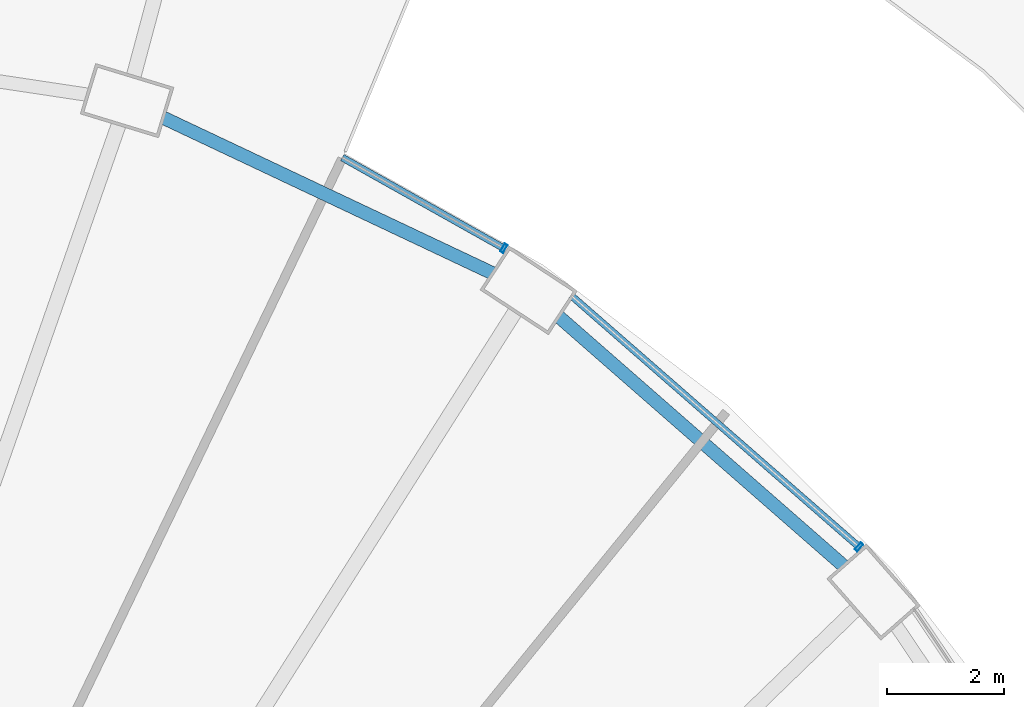
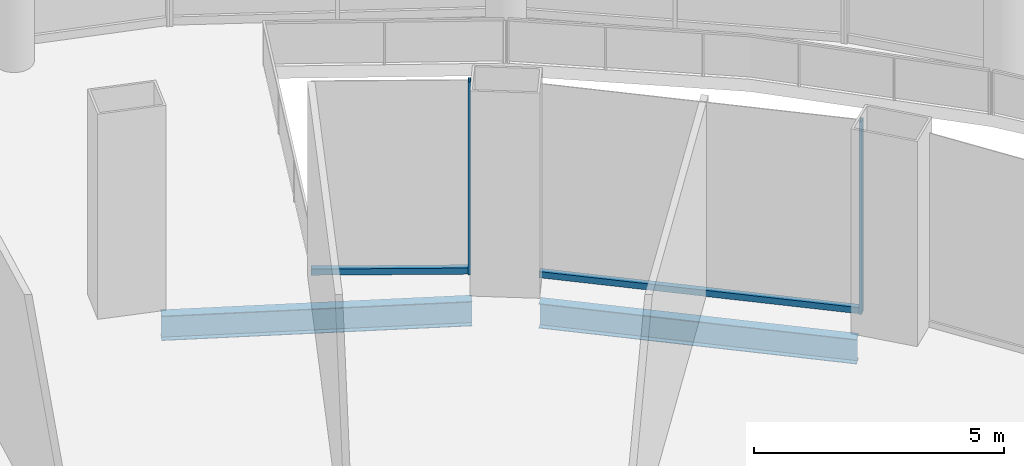
# One storey, part 35 of 48: 4 members, 2 beams, 2 elements without a shape of their own.
"""IFC4 building model written with IfcOpenShell, lengths in metres."""

from ifc_helpers import new_model, si_unit, direction, frame, origin, origin_2d, place, context, subcontext, project, spatial, hollow_rectangle, i_section, extrude, material, layer, layer_set, material_profile, profile_set, type_object, element, aggregate, save


model = new_model("IFC4")

# Units and contexts
model_context = context("Model", 3, precision=1e-05, world=origin(), true_north=direction((0.0, 1.0)))
body_context = subcontext(model_context, "Body", "Model", "MODEL_VIEW")
ifc_project = project(units=[si_unit("LENGTHUNIT", "METRE"), si_unit("AREAUNIT", "SQUARE_METRE"), si_unit("VOLUMEUNIT", "CUBIC_METRE"), si_unit("PLANEANGLEUNIT", "RADIAN"), si_unit("MASSUNIT", "GRAM", prefix="KILO")], contexts=[model_context])

# Site, building, storey
site_placement = place(None, origin())
site = spatial("IfcSite", under=ifc_project, at=site_placement, CompositionType="ELEMENT")
building_placement = place(site_placement, origin())
building = spatial("IfcBuilding", under=site, at=building_placement, Name="Nagisa Residences", CompositionType="ELEMENT")
storey_placement = place(building_placement, frame((0.0, 0.0, 12.0)))
storey = spatial("IfcBuildingStorey", under=building, at=storey_placement, Name="L02", CompositionType="ELEMENT", Elevation=12.0)

# Curtain wall, member
ifc_material_1 = material(Name="Stainless steel curtain wall system", Category="steel")
ifc_layer = layer(ifc_material_1, 0.159912109375)
ifc_layer_set = layer_set([ifc_layer], Name="CW6 CURTAIN WALL")
curtain_wall_type = type_object("IfcCurtainWallType", Name="CW6 CURTAIN WALL", PredefinedType="NOTDEFINED", material=ifc_layer_set)
curtain_wall_1_placement = place(storey_placement, origin())
curtain_wall_1 = element("IfcCurtainWall", 1, at=curtain_wall_1_placement, inside=storey, type_object=curtain_wall_type, Name="cw:CW6:L02:06", PredefinedType="NOTDEFINED")
ifc_material_2 = material(Name="Stainless steel", Category="steel")
ifc_material_profile_1 = material_profile(ifc_material_2, hollow_rectangle(XDim=0.159912109375, YDim=0.06005859375, WallThickness=0.006103515625, at=origin_2d()), Name="CW6 MULLION 160x60")
ifc_profile_set_1 = profile_set([ifc_material_profile_1], Name="Stainless steel")
member_type_1 = type_object("IfcMemberType", Name="CW6 MULLION 160x60", PredefinedType="MULLION", material=ifc_profile_set_1)
member_1_placement = place(storey_placement, frame((23.503662109375, 23.75439453125, 0.0), z_axis=(0.0, 0.0, 1.0), x_axis=(-0.657721475708, -0.753261216572, 0.0)))
member_1 = element("IfcMember", 2, at=member_1_placement, type_object=member_type_1, Name="CW6 mullion", PredefinedType="MULLION", context=body_context, shape_type="SweptSolid", body=[
    extrude(hollow_rectangle(XDim=0.159912109375, YDim=0.06005859375, WallThickness=0.006103515625, at=origin_2d()), origin(), (0.0, 0.0, 1.0), 4.699951171875),
])

curtain_wall_2_placement = place(storey_placement, origin())
curtain_wall_2 = element("IfcCurtainWall", 3, at=curtain_wall_2_placement, inside=storey, type_object=curtain_wall_type, Name="cw:CW6:L02:08", PredefinedType="NOTDEFINED")
member_2_placement = place(storey_placement, frame((17.42431640625, 28.8662109375, 0.0), z_axis=(0.0, 0.0, 1.0), x_axis=(-0.489376918501, -0.872072377523, 0.0)))
member_2 = element("IfcMember", 4, at=member_2_placement, type_object=member_type_1, Name="CW6 mullion", PredefinedType="MULLION", context=body_context, shape_type="SweptSolid", body=[
    extrude(hollow_rectangle(XDim=0.159912109375, YDim=0.06005859375, WallThickness=0.006103515625, at=origin_2d()), origin(), (0.0, 0.0, 1.0), 4.699951171875),
])

# Member
ifc_material_3 = material(Name="Stainless steel", Category="steel")
ifc_material_profile_2 = material_profile(ifc_material_3, hollow_rectangle(XDim=0.1201171875, YDim=0.14990234375, WallThickness=0.008056640625, at=origin_2d()), Name="CW6 TRANSOM 120x150")
ifc_profile_set_2 = profile_set([ifc_material_profile_2], Name="Stainless steel")
member_type_2 = type_object("IfcMemberType", Name="CW6 TRANSOM 120x150", PredefinedType="USERDEFINED", material=ifc_profile_set_2)
member_3_placement = place(storey_placement, frame((23.526123046875, 23.734619140625, 0.074951171875), z_axis=(-0.753255020636, 0.657728571591, 0.0), x_axis=(-0.657728571591, -0.753255020636, 0.0)))
member_3 = element("IfcMember", 5, at=member_3_placement, type_object=member_type_2, Name="CW6 transom", ObjectType="TRANSOM", PredefinedType="USERDEFINED", context=body_context, shape_type="SweptSolid", body=[
    extrude(hollow_rectangle(XDim=0.1201171875, YDim=0.14990234375, WallThickness=0.008056640625, at=origin_2d()), origin(), (0.0, 0.0, 1.0), 6.5732421875),
])

aggregate(curtain_wall_1, [member_1, member_3])

member_4_placement = place(storey_placement, frame((17.450439453125, 28.8515625, 0.074951171875), z_axis=(-0.872070011948, 0.489381133946, 0.0), x_axis=(-0.489381133946, -0.872070011948, 0.0)))
member_4 = element("IfcMember", 6, at=member_4_placement, type_object=member_type_2, Name="CW6 transom", ObjectType="TRANSOM", PredefinedType="USERDEFINED", context=body_context, shape_type="SweptSolid", body=[
    extrude(hollow_rectangle(XDim=0.1201171875, YDim=0.14990234375, WallThickness=0.008056640625, at=origin_2d()), origin(), (0.0, 0.0, 1.0), 3.201171875),
])

aggregate(curtain_wall_2, [member_2, member_4])

# Beams
ifc_material_4 = material(Name="Steel ASTM A572 Gr 50", Category="steel")
ifc_material_profile_3 = material_profile(ifc_material_4, i_section(OverallWidth=0.22802734375, OverallDepth=0.60302734375, WebThickness=0.010498046875, FlangeThickness=0.014892578125, at=origin_2d()), Name="W610x101")
ifc_profile_set_3 = profile_set([ifc_material_profile_3], Name="Steel ASTM A572 Gr 50")
beam_type = type_object("IfcBeamType", Name="Perimeter ring beam W610x101", PredefinedType="BEAM", material=ifc_profile_set_3)
beam_1_placement = place(storey_placement, frame((23.236328125, 23.432861328125, -0.6015625), z_axis=(-0.7525907186, 0.658488580217, 0.0), x_axis=(-0.658488580217, -0.7525907186, 0.0)))
element("IfcBeam", 7, at=beam_1_placement, inside=storey, type_object=beam_type, Name="beam:L02:pb04", PredefinedType="BEAM", context=body_context, shape_type="SweptSolid", body=[
    extrude(i_section(OverallWidth=0.22802734375, OverallDepth=0.60302734375, WebThickness=0.010498046875, FlangeThickness=0.014892578125, at=origin_2d()), origin(), (0.0, 0.0, 1.0), 6.470458984375),
])
beam_2_placement = place(storey_placement, frame((17.22900390625, 28.439208984375, -0.6015625), z_axis=(-0.904215426643, 0.427076646774, 0.0), x_axis=(-0.427076646774, -0.904215426643, 0.0)))
element("IfcBeam", 8, at=beam_2_placement, inside=storey, type_object=beam_type, Name="beam:L02:pb05", PredefinedType="BEAM", context=body_context, shape_type="SweptSolid", body=[
    extrude(i_section(OverallWidth=0.22802734375, OverallDepth=0.60302734375, WebThickness=0.010498046875, FlangeThickness=0.014892578125, at=origin_2d()), origin(), (0.0, 0.0, 1.0), 6.2275390625),
])

save(model, "model.ifc")
